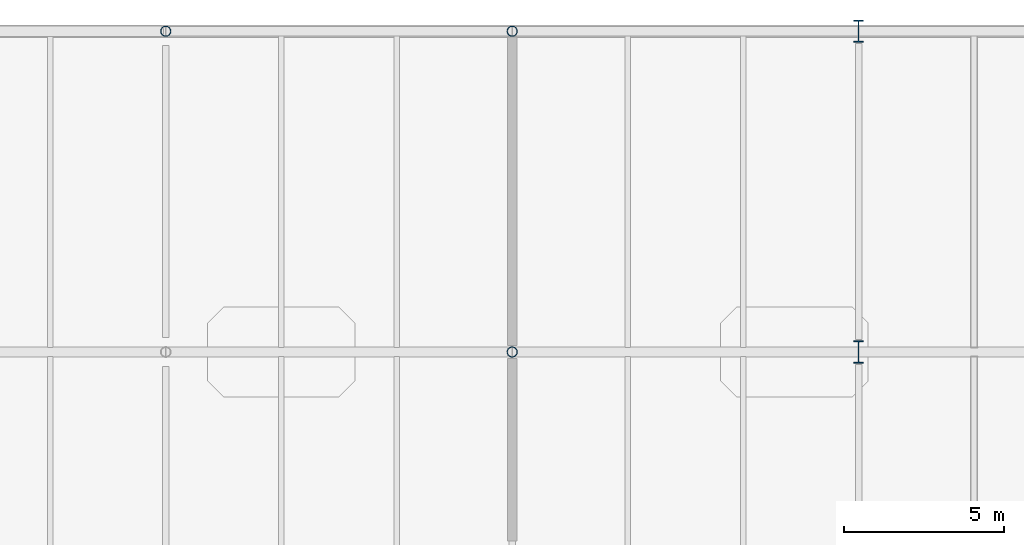
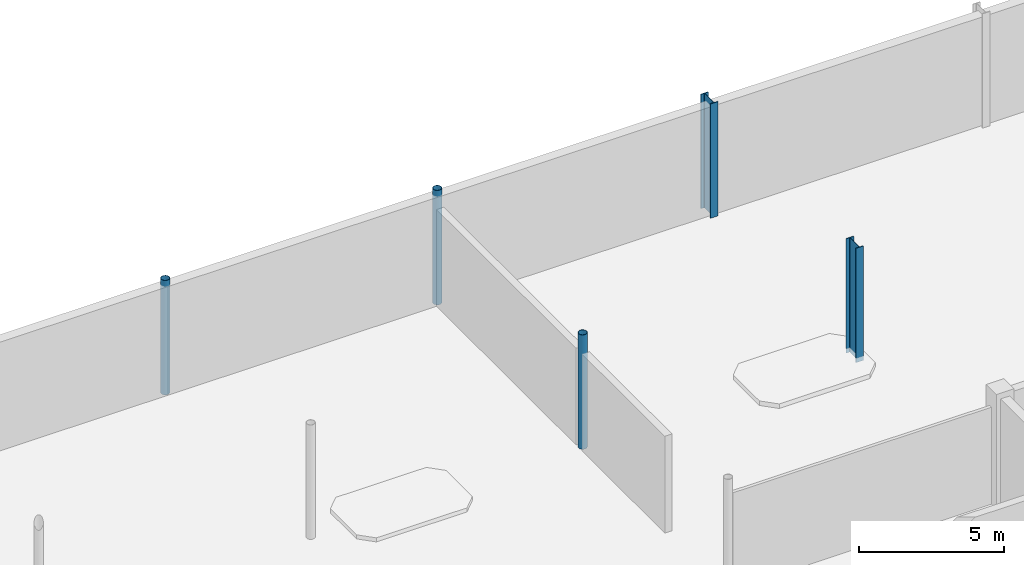
# One storey, part 11 of 92: 5 columns.
"""IFC4 building model written with IfcOpenShell, lengths in metres."""

import ifcopenshell
import ifcopenshell.guid

model = None  # the IFC model being written
_history = None  # IfcOwnerHistory: only IFC2X3 demands one
_inside = {}  # id of a spatial element -> (the spatial element, [elements in it])
_under = {}  # id of a project, library or spatial element -> (it, [spatial elements below it])
_declared = {}  # id of a project -> (the project, [libraries it declares])
_typed = {}  # id of a type object -> (the type object, [elements of that type])
_made_of = {}  # id of a material, layer set ... -> (it, [elements and type objects made of it])


def new_model(schema):
    """Start an empty IFC model of exactly this schema.

    Asked for "IFC4X3", IfcOpenShell would pick the latest addendum, in which some entities
    have other attributes; the version numbers below select the first issue.
    IFC2X3 requires an IfcOwnerHistory on every rooted entity: one is made here for all.
    """
    global model, _history
    if schema == "IFC4X3":
        model = ifcopenshell.file(schema_version=(4, 3, 0, 0))
    else:
        model = ifcopenshell.file(schema=schema)
    _inside.clear()
    _under.clear()
    _declared.clear()
    _typed.clear()
    _made_of.clear()
    _history = None
    if model.schema == "IFC2X3":
        org = make("IfcOrganization", Name="unknown")
        user = make(
            "IfcPersonAndOrganization",
            ThePerson=make("IfcPerson", FamilyName="unknown"),
            TheOrganization=org,
        )
        app = make(
            "IfcApplication",
            ApplicationDeveloper=org,
            Version="unknown",
            ApplicationFullName="unknown",
            ApplicationIdentifier="unknown",
        )
        _history = make(
            "IfcOwnerHistory",
            OwningUser=user,
            OwningApplication=app,
            ChangeAction="ADDED",
            CreationDate=0,
        )
    return model


def make(cls, **values):
    """One entity of the class cls with the attributes given. An attribute that is None is left unset."""
    return model.create_entity(
        cls, **{name: value for name, value in values.items() if value is not None}
    )


def rooted(cls, **values):
    """An entity with a GlobalId (a new one), such as an element, a storey or a relation."""
    return make(cls, GlobalId=ifcopenshell.guid.new(), OwnerHistory=_history, **values)


def si_unit(unit_type, name, prefix=None):
    """IfcSIUnit, for example si_unit("LENGTHUNIT", "METRE", prefix="MILLI")."""
    return make("IfcSIUnit", UnitType=unit_type, Prefix=prefix, Name=name)


def assignment(units):
    """IfcUnitAssignment: the units of a project."""
    return None if units is None else make("IfcUnitAssignment", Units=units)


def point(xyz):
    """IfcCartesianPoint."""
    return None if xyz is None else make("IfcCartesianPoint", Coordinates=xyz)


def direction(xyz):
    """IfcDirection."""
    return None if xyz is None else make("IfcDirection", DirectionRatios=xyz)


def frame(location, z_axis=None, x_axis=None):
    """IfcAxis2Placement3D, a coordinate frame: its origin and axes. An axis left out is left unset."""
    return make(
        "IfcAxis2Placement3D",
        Location=point(location),
        Axis=direction(z_axis),
        RefDirection=direction(x_axis),
    )


def frame_2d(location, x_axis=None):
    """IfcAxis2Placement2D, a coordinate frame in the plane: its origin and x axis."""
    return make(
        "IfcAxis2Placement2D", Location=point(location), RefDirection=direction(x_axis)
    )


def origin():
    """The frame at (0, 0, 0) with its axes left unset."""
    return frame((0.0, 0.0, 0.0))


def origin_2d():
    """The frame at (0, 0) in the plane with its x axis left unset."""
    return frame_2d((0.0, 0.0))


def place(relative_to, where):
    """IfcLocalPlacement: puts the frame where relative to a parent placement (None: the world)."""
    return make(
        "IfcLocalPlacement", PlacementRelTo=relative_to, RelativePlacement=where
    )


def context(
    kind, dimensions, precision=None, world=None, true_north=None, identifier=None
):
    """IfcGeometricRepresentationContext, for example the 3D "Model" context."""
    return make(
        "IfcGeometricRepresentationContext",
        ContextIdentifier=identifier,
        ContextType=kind,
        CoordinateSpaceDimension=dimensions,
        Precision=precision,
        WorldCoordinateSystem=world,
        TrueNorth=true_north,
    )


def subcontext(parent, identifier, kind, view, scale=None):
    """IfcGeometricRepresentationSubContext, for example "Body" below "Model"."""
    return make(
        "IfcGeometricRepresentationSubContext",
        ContextIdentifier=identifier,
        ContextType=kind,
        ParentContext=parent,
        TargetScale=scale,
        TargetView=view,
    )


def project(units=None, contexts=None):
    """IfcProject with its units and contexts."""
    return rooted(
        "IfcProject",
        Name="project",
        RepresentationContexts=contexts,
        UnitsInContext=assignment(units),
    )


def spatial(cls, under=None, at=None, **own):
    """A site, building, storey or space (cls), placed at a placement, below another one or the project."""
    s = rooted(cls, ObjectPlacement=at, **own)
    if under is not None:
        _under.setdefault(under.id(), (under, []))[1].append(s)
    return s


def profile(cls, at=None, kind="AREA", **sizes):
    """A parametric profile (cls). Its sizes go by their IFC names, for example OverallWidth=200.0."""
    return make(cls, ProfileType=kind, Position=at, **sizes)


def hollow_circle(**sizes):
    """IfcCircleHollowProfileDef."""
    return profile("IfcCircleHollowProfileDef", **sizes)


def i_section(**sizes):
    """IfcIShapeProfileDef."""
    return profile("IfcIShapeProfileDef", **sizes)


def extrude(swept, where, along, depth):
    """IfcExtrudedAreaSolid: the profile swept, set in the frame where, extruded along a direction by depth."""
    return make(
        "IfcExtrudedAreaSolid",
        SweptArea=swept,
        Position=where,
        ExtrudedDirection=direction(along),
        Depth=depth,
    )


def shape(context_of_items, identifier, shape_type, items):
    """IfcShapeRepresentation: the items that make up one representation, for example the "Body"."""
    return make(
        "IfcShapeRepresentation",
        ContextOfItems=context_of_items,
        RepresentationIdentifier=identifier,
        RepresentationType=shape_type,
        Items=items,
    )


def material(Name=None, Category=None):
    """IfcMaterial."""
    return make("IfcMaterial", Name=Name, Category=Category)


def material_profile(
    of_material, cross_section, Name=None, Category=None, Priority=None
):
    """IfcMaterialProfile: a cross section and its material."""
    return make(
        "IfcMaterialProfile",
        Name=Name,
        Material=of_material,
        Profile=cross_section,
        Priority=Priority,
        Category=Category,
    )


def profile_set(profiles, Name=None, composite=None):
    """IfcMaterialProfileSet."""
    return make(
        "IfcMaterialProfileSet",
        Name=Name,
        MaterialProfiles=profiles,
        CompositeProfile=composite,
    )


def made_of(thing, what):
    """Note that an element or type object is made of a material, layer set ...; save() writes the relation."""
    if what is not None:
        _made_of.setdefault(what.id(), (what, []))[1].append(thing)
    return thing


def type_object(cls, material=None, **own):
    """A type object (cls), such as IfcWallType, which elements share."""
    return made_of(rooted(cls, **own), material)


def element(
    cls,
    number,
    at=None,
    inside=None,
    cuts=None,
    type_object=None,
    material=None,
    context=None,
    identifier="Body",
    shape_type=None,
    held_by="IfcProductDefinitionShape",
    body=None,
    shapes=None,
    **own,
):
    """One element of the class cls, such as IfcWall. Its Tag is "e" and its number.

    at: its placement. inside: the storey or other place that contains it. cuts: it is an
    opening in that element (IfcRelVoidsElement). A single representation is given by context,
    identifier, shape_type and body (its items); several are given by shapes. held_by: the class
    of the entity that holds the representations. save() writes the other relations.
    """
    e = rooted(cls, Tag="e%d" % number, ObjectPlacement=at, **own)
    if body is not None:
        shapes = [shape(context, identifier, shape_type, body)]
    if shapes is not None:
        e.Representation = make(held_by, Representations=shapes)
    if inside is not None:
        _inside.setdefault(inside.id(), (inside, []))[1].append(e)
    if cuts is not None:
        rooted(
            "IfcRelVoidsElement", RelatingBuildingElement=cuts, RelatedOpeningElement=e
        )
    if type_object is not None:
        _typed.setdefault(type_object.id(), (type_object, []))[1].append(e)
    return made_of(e, material)


def aggregate(whole, parts):
    """IfcRelAggregates: a whole, such as a stair, and the parts it consists of."""
    return rooted("IfcRelAggregates", RelatingObject=whole, RelatedObjects=parts)


def save(model, path):
    """Write the relations noted so far, then the file.

    IfcRelAggregates (storeys below a building ...), IfcRelContainedInSpatialStructure (elements
    in a storey), IfcRelDefinesByType, IfcRelAssociatesMaterial and IfcRelDeclares: one each for
    every whole, place, type object, material and project.
    """
    for whole, parts in _under.values():
        aggregate(whole, parts)
    for where, things in _inside.values():
        rooted(
            "IfcRelContainedInSpatialStructure",
            RelatedElements=things,
            RelatingStructure=where,
        )
    for kind, things in _typed.values():
        rooted("IfcRelDefinesByType", RelatedObjects=things, RelatingType=kind)
    for what, things in _made_of.values():
        rooted("IfcRelAssociatesMaterial", RelatedObjects=things, RelatingMaterial=what)
    for by, libraries in _declared.values():
        rooted("IfcRelDeclares", RelatingContext=by, RelatedDefinitions=libraries)
    model.write(path)


model = new_model("IFC4")

# Units and contexts
model_context = context("Model", 3, precision=1e-05, world=origin(), true_north=direction((0.0, 1.0)))
body_context = subcontext(model_context, "Body", "Model", "MODEL_VIEW")
ifc_project = project(units=[si_unit("LENGTHUNIT", "METRE"), si_unit("AREAUNIT", "SQUARE_METRE"), si_unit("VOLUMEUNIT", "CUBIC_METRE"), si_unit("PLANEANGLEUNIT", "RADIAN"), si_unit("MASSUNIT", "GRAM", prefix="KILO")], contexts=[model_context])

# Site, building, storey
site_placement = place(None, origin())
site = spatial("IfcSite", under=ifc_project, at=site_placement, CompositionType="ELEMENT")
building_placement = place(site_placement, origin())
building = spatial("IfcBuilding", under=site, at=building_placement, Name="Tasgan Crest Museum", CompositionType="ELEMENT")
storey_placement = place(building_placement, frame((0.0, 0.0, 4.800048828125)))
storey = spatial("IfcBuildingStorey", under=building, at=storey_placement, Name="L01", CompositionType="ELEMENT", Elevation=4.800048828125)

# Columns
ifc_material_1 = material(Name="Steel S355K2", Category="steel")
ifc_material_profile_1 = material_profile(ifc_material_1, hollow_circle(Radius=0.161865234375, WallThickness=0.01416015625, at=origin_2d()), Name="CHS 323.9x14.2")
ifc_profile_set_1 = profile_set([ifc_material_profile_1], Name="Steel S355K2")
column_type_1 = type_object("IfcColumnType", Name="COL-CHS323", PredefinedType="COLUMN", material=ifc_profile_set_1)
for number, where, z_axis, x_axis, name in (
    (1, (32.39990234375, 112.0, 0.0), (0.0, 0.0, 1.0), (1.0, 0.0, 0.0), "Column 4/M L01"),
    (2, (43.199951171875, 102.0, 0.0), (0.0, 0.0, 1.0), (1.0, 0.0, 0.0), "Column 5/L L01"),
    (3, (43.199951171875, 112.0, 0.0), (0.0, 0.0, 1.0), (1.0, 0.0, 0.0), "Column 5/M L01"),
):
    element("IfcColumn", number, at=place(storey_placement, frame(where, z_axis=z_axis, x_axis=x_axis)), inside=storey, type_object=column_type_1, Name=name, PredefinedType="COLUMN", context=body_context, shape_type="SweptSolid", body=[
        extrude(hollow_circle(Radius=0.161865234375, WallThickness=0.01416015625, at=origin_2d()), origin(), (0.0, 0.0, 1.0), 4.800048828125),
    ])
ifc_material_2 = material(Name="Steel S355K2", Category="steel")
ifc_material_profile_2 = material_profile(ifc_material_2, i_section(OverallWidth=0.300048828125, OverallDepth=0.68994140625, WebThickness=0.014404296875, FlangeThickness=0.027099609375, FilletRadius=0.027099609375, at=origin_2d()), Name="HEA 700")
ifc_profile_set_2 = profile_set([ifc_material_profile_2], Name="Steel S355K2")
column_type_2 = type_object("IfcColumnType", Name="COL-HEA700", PredefinedType="COLUMN", material=ifc_profile_set_2)
for number, where, z_axis, x_axis, name in (
    (4, (54.0, 102.0, 0.0), (0.0, 0.0, 1.0), (1.0, 0.0, 0.0), "Column 6/L L01"),
    (5, (54.0, 112.0, 0.0), (0.0, 0.0, 1.0), (1.0, 0.0, 0.0), "Column 6/M L01"),
):
    element("IfcColumn", number, at=place(storey_placement, frame(where, z_axis=z_axis, x_axis=x_axis)), inside=storey, type_object=column_type_2, Name=name, PredefinedType="COLUMN", context=body_context, shape_type="SweptSolid", body=[
        extrude(i_section(OverallWidth=0.300048828125, OverallDepth=0.68994140625, WebThickness=0.014404296875, FlangeThickness=0.027099609375, FilletRadius=0.027099609375, at=origin_2d()), origin(), (0.0, 0.0, 1.0), 4.800048828125),
    ])

save(model, "model.ifc")
